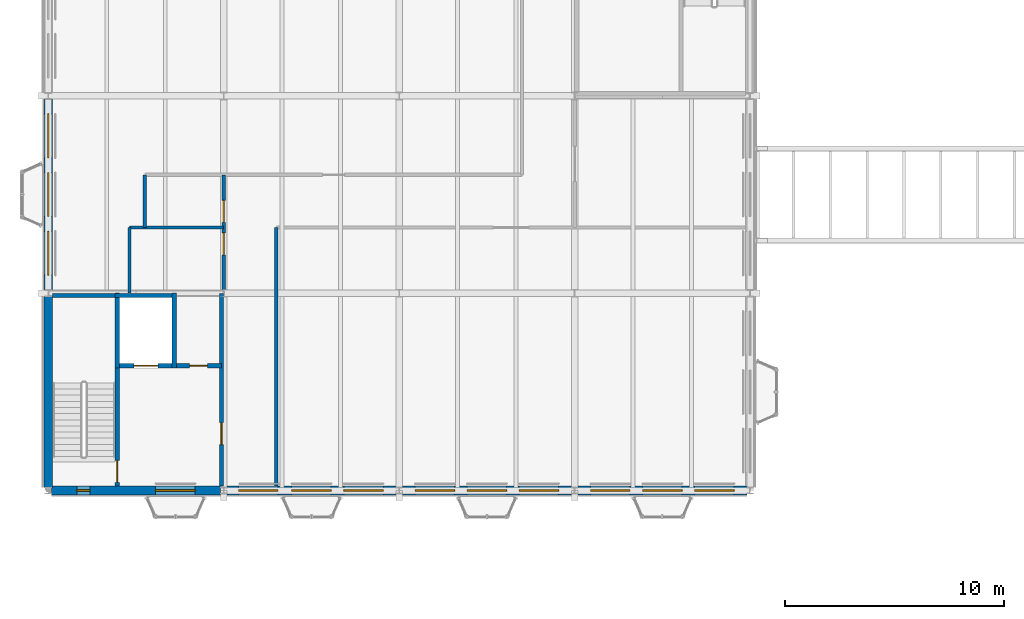
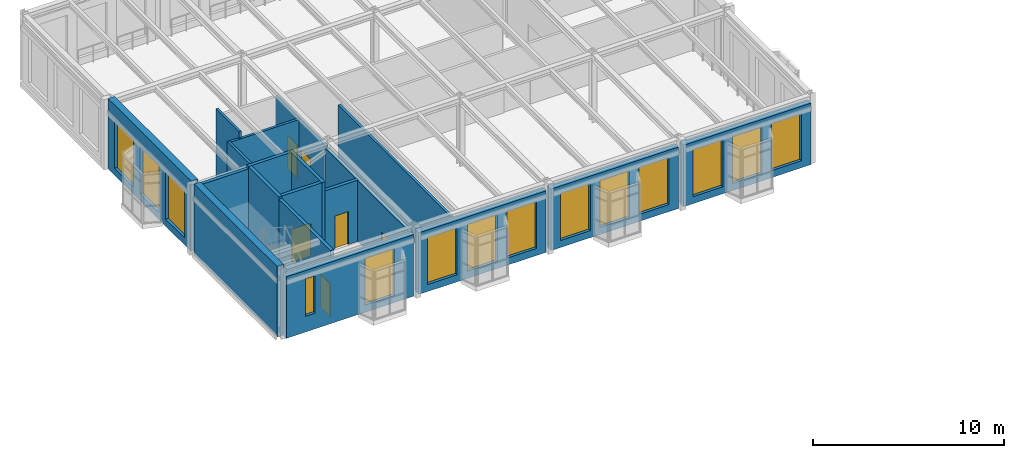
# One storey, part 99 of 153: 19 walls, 14 windows, 6 doors, 20 openings.
"""IFC4 building model written with IfcOpenShell, lengths in metres."""

from ifc_helpers import new_model, si_unit, direction, frame, frame_2d, origin, place, context, subcontext, project, spatial, rectangle, extrude, material, layer, layer_set, type_object, element, fill, save


model = new_model("IFC4")

# Units and contexts
model_context = context("Model", 3, precision=1e-05, world=origin(), true_north=direction((0.0, 1.0)))
body_context = subcontext(model_context, "Body", "Model", "MODEL_VIEW")
ifc_project = project(units=[si_unit("LENGTHUNIT", "METRE"), si_unit("AREAUNIT", "SQUARE_METRE"), si_unit("VOLUMEUNIT", "CUBIC_METRE"), si_unit("PLANEANGLEUNIT", "RADIAN"), si_unit("MASSUNIT", "GRAM", prefix="KILO")], contexts=[model_context])

# Site, building, storey
site_placement = place(None, origin())
site = spatial("IfcSite", under=ifc_project, at=site_placement, CompositionType="ELEMENT")
building_placement = place(site_placement, origin())
building = spatial("IfcBuilding", under=site, at=building_placement, Name="Kallimachos Central Library", CompositionType="ELEMENT")
storey_placement = place(building_placement, frame((0.0, 0.0, 5.39990234375)))
storey = spatial("IfcBuildingStorey", under=building, at=storey_placement, Name="L01", CompositionType="ELEMENT", Elevation=5.39990234375)

# Wall, opening, door
ifc_material_1 = material(Name="Concrete C30/37", Category="concrete")
ifc_layer_1 = layer(ifc_material_1, 0.199951171875)
ifc_layer_set_1 = layer_set([ifc_layer_1], Name="Core wall 200")
wall_type_1 = type_object("IfcWallType", Name="Core wall 200", PredefinedType="SOLIDWALL", material=ifc_layer_set_1)
wall_1_placement = place(storey_placement, frame((9.14990234375, 87.199951171875, 0.0), z_axis=(0.0, 0.0, 1.0), x_axis=(0.0, 1.0, 0.0)))
wall_1 = element("IfcWall", 1, at=wall_1_placement, inside=storey, type_object=wall_type_1, Name="Core wall sw-stair-lobby L01", PredefinedType="SOLIDWALL", context=body_context, shape_type="SweptSolid", body=[
    extrude(rectangle(XDim=5.400146484375, YDim=0.199951171875, at=frame_2d((2.7001953125, 0.0))), origin(), (0.0, 0.0, 1.0), 4.35009765625),
])
opening_1_placement = place(wall_1_placement, frame((0.175048828125, 0.0, 0.0)))
opening_1 = element("IfcOpeningElement", 2, at=opening_1_placement, cuts=wall_1, Name="Opening D298", PredefinedType="OPENING", context=body_context, shape_type="SweptSolid", body=[
    extrude(rectangle(XDim=1.0, YDim=2.10009765625, at=frame_2d((0.5, 1.050048828125))), frame((0.0, 0.10986328125, 0.0), z_axis=(0.0, -1.0, 0.0), x_axis=(1.0, 0.0, 0.0)), (0.0, 0.0, 1.0), 0.219970703125),
])
ifc_material_2 = material(Name="Steel fire door", Category="steel")
door_type_1 = type_object("IfcDoorType", Name="Fire door 1000 x 2100", OperationType="NOTDEFINED", PredefinedType="DOOR", material=ifc_material_2)
door_1_placement = place(opening_1_placement, origin())
door_1 = element("IfcDoor", 3, at=door_1_placement, inside=storey, type_object=door_type_1, Name="Stair ST5 door", OperationType="SINGLE_SWING_RIGHT", OverallHeight=2.10009765625, OverallWidth=1.0, PredefinedType="DOOR", context=body_context, shape_type="SweptSolid", body=[
    extrude(rectangle(XDim=1.0, YDim=2.10009765625, at=frame_2d((0.5, 1.050048828125))), frame((0.0, 0.02490234375, 0.0), z_axis=(0.0, -1.0, 0.0), x_axis=(1.0, 0.0, 0.0)), (0.0, 0.0, 1.0), 0.050048828125),
])
fill(opening_1, door_1)

# Wall
wall_2_placement = place(storey_placement, frame((6.199951171875, 95.89990234375, 0.0), z_axis=(0.0, 0.0, 1.0), x_axis=(1.0, 0.0, 0.0)))
element("IfcWall", 4, at=wall_2_placement, inside=storey, type_object=wall_type_1, Name="Core wall sw-stair-north L01", PredefinedType="SOLIDWALL", context=body_context, shape_type="SweptSolid", body=[
    extrude(rectangle(XDim=2.85009765625, YDim=0.199951171875, at=frame_2d((1.425048828125, 0.0))), origin(), (0.0, 0.0, 1.0), 4.35009765625),
])

# Wall, opening, door
wall_3_placement = place(storey_placement, frame((13.89990234375, 87.199951171875, 0.0), z_axis=(0.0, 0.0, 1.0), x_axis=(0.0, 1.0, 0.0)))
wall_3 = element("IfcWall", 5, at=wall_3_placement, inside=storey, type_object=wall_type_1, Name="Core wall sw-east L01", PredefinedType="SOLIDWALL", context=body_context, shape_type="SweptSolid", body=[
    extrude(rectangle(XDim=8.800048828125, YDim=0.199951171875, at=frame_2d((4.39990234375, 0.0))), origin(), (0.0, 0.0, 1.0), 3.91015625),
])
opening_2_placement = place(wall_3_placement, frame((1.89990234375, 0.0, 0.0)))
opening_2 = element("IfcOpeningElement", 6, at=opening_2_placement, cuts=wall_3, Name="Opening D299", PredefinedType="OPENING", context=body_context, shape_type="SweptSolid", body=[
    extrude(rectangle(XDim=1.0, YDim=2.10009765625, at=frame_2d((0.5, 1.050048828125))), frame((0.0, 0.10986328125, 0.0), z_axis=(0.0, -1.0, 0.0), x_axis=(1.0, 0.0, 0.0)), (0.0, 0.0, 1.0), 0.219970703125),
])
door_2_placement = place(opening_2_placement, origin())
door_2 = element("IfcDoor", 7, at=door_2_placement, inside=storey, type_object=door_type_1, Name="Stair lobby ST5 door to corridor", OperationType="SINGLE_SWING_RIGHT", OverallHeight=2.10009765625, OverallWidth=1.0, PredefinedType="DOOR", context=body_context, shape_type="SweptSolid", body=[
    extrude(rectangle(XDim=1.0, YDim=2.10009765625, at=frame_2d((0.5, 1.050048828125))), frame((0.0, 0.02490234375, 0.0), z_axis=(0.0, -1.0, 0.0), x_axis=(1.0, 0.0, 0.0)), (0.0, 0.0, 1.0), 0.050048828125),
])
fill(opening_2, door_2)

ifc_material_3 = material(Name="Concrete C30/37", Category="concrete")
ifc_layer_2 = layer(ifc_material_3, 0.199951171875)
ifc_layer_set_2 = layer_set([ifc_layer_2], Name="Core wall 200, non-load-bearing")
wall_type_2 = type_object("IfcWallType", Name="Core wall 200, non-load-bearing", PredefinedType="SOLIDWALL", material=ifc_layer_set_2)
wall_4_placement = place(storey_placement, frame((11.85009765625, 92.699951171875, 0.0), z_axis=(0.0, 0.0, 1.0), x_axis=(1.0, 0.0, 0.0)))
wall_4 = element("IfcWall", 8, at=wall_4_placement, inside=storey, type_object=wall_type_2, Name="Core wall sw-lobby-north-east L01", PredefinedType="SOLIDWALL", context=body_context, shape_type="SweptSolid", body=[
    extrude(rectangle(XDim=2.0498046875, YDim=0.199951171875, at=frame_2d((1.02490234375, 0.0))), origin(), (0.0, 0.0, 1.0), 3.91015625),
])
opening_3_placement = place(wall_4_placement, frame((0.60009765625, 0.0, 0.0)))
opening_3 = element("IfcOpeningElement", 9, at=opening_3_placement, cuts=wall_4, Name="Opening D300", PredefinedType="OPENING", context=body_context, shape_type="SweptSolid", body=[
    extrude(rectangle(XDim=0.800048828125, YDim=2.10009765625, at=frame_2d((0.39990234375, 1.050048828125))), frame((0.0, 0.10986328125, 0.0), z_axis=(0.0, -1.0, 0.0), x_axis=(1.0, 0.0, 0.0)), (0.0, 0.0, 1.0), 0.219970703125),
])
ifc_material_4 = material(Name="Steel fire door", Category="steel")
door_type_2 = type_object("IfcDoorType", Name="Riser door 800 x 2100", OperationType="NOTDEFINED", PredefinedType="DOOR", material=ifc_material_4)
door_3_placement = place(opening_3_placement, origin())
door_3 = element("IfcDoor", 10, at=door_3_placement, inside=storey, type_object=door_type_2, Name="Riser 1 door", OperationType="SINGLE_SWING_RIGHT", OverallHeight=2.10009765625, OverallWidth=0.800048828125, PredefinedType="DOOR", context=body_context, shape_type="SweptSolid", body=[
    extrude(rectangle(XDim=0.800048828125, YDim=2.10009765625, at=frame_2d((0.39990234375, 1.050048828125))), frame((0.0, 0.02490234375, 0.0), z_axis=(0.0, -1.0, 0.0), x_axis=(1.0, 0.0, 0.0)), (0.0, 0.0, 1.0), 0.050048828125),
])
fill(opening_3, door_3)

# Wall
ifc_material_5 = material(Name="Concrete C30/37", Category="concrete")
ifc_layer_3 = layer(ifc_material_5, 0.199951171875)
ifc_layer_set_3 = layer_set([ifc_layer_3], Name="Lift shaft wall 200")
wall_type_3 = type_object("IfcWallType", Name="Lift shaft wall 200", PredefinedType="SOLIDWALL", material=ifc_layer_set_3)
wall_5_placement = place(storey_placement, frame((9.050048828125, 95.89990234375, 0.0), z_axis=(0.0, 0.0, 1.0), x_axis=(1.0, 0.0, 0.0)))
element("IfcWall", 11, at=wall_5_placement, inside=storey, type_object=wall_type_3, Name="V2-WAL-L01-001", PredefinedType="SOLIDWALL", context=body_context, shape_type="SweptSolid", body=[
    extrude(rectangle(XDim=2.599853515625, YDim=0.199951171875, at=frame_2d((1.2998046875, 0.0))), origin(), (0.0, 0.0, 1.0), 4.5),
])

# Wall, opening, door
wall_6_placement = place(storey_placement, frame((9.25, 92.699951171875, 0.0), z_axis=(0.0, 0.0, 1.0), x_axis=(1.0, 0.0, 0.0)))
wall_6 = element("IfcWall", 12, at=wall_6_placement, inside=storey, type_object=wall_type_3, Name="V2-WAL-L01-002", PredefinedType="SOLIDWALL", context=body_context, shape_type="SweptSolid", body=[
    extrude(rectangle(XDim=2.39990234375, YDim=0.199951171875, at=frame_2d((1.199951171875, 0.0))), origin(), (0.0, 0.0, 1.0), 4.5),
])
opening_4_placement = place(wall_6_placement, frame((0.64990234375, 0.0, 0.0)))
opening_4 = element("IfcOpeningElement", 13, at=opening_4_placement, cuts=wall_6, Name="Opening LD1100", PredefinedType="OPENING", context=body_context, shape_type="SweptSolid", body=[
    extrude(rectangle(XDim=1.10009765625, YDim=2.10009765625, at=frame_2d((0.550048828125, 1.050048828125))), frame((0.0, 0.10986328125, 0.0), z_axis=(0.0, -1.0, 0.0), x_axis=(1.0, 0.0, 0.0)), (0.0, 0.0, 1.0), 0.219970703125),
])
ifc_material_6 = material(Name="Stainless steel", Category="steel")
door_type_3 = type_object("IfcDoorType", Name="Lift landing door 1100 x 2100", OperationType="SLIDING_TO_LEFT", PredefinedType="DOOR", material=ifc_material_6)
door_4_placement = place(opening_4_placement, origin())
door_4 = element("IfcDoor", 14, at=door_4_placement, inside=storey, type_object=door_type_3, Name="LF5 landing door L01", OperationType="SLIDING_TO_LEFT", OverallHeight=2.10009765625, OverallWidth=1.10009765625, PredefinedType="DOOR", context=body_context, shape_type="SweptSolid", body=[
    extrude(rectangle(XDim=1.10009765625, YDim=2.10009765625, at=frame_2d((0.550048828125, 1.050048828125))), frame((0.0, 0.02490234375, 0.0), z_axis=(0.0, -1.0, 0.0), x_axis=(1.0, 0.0, 0.0)), (0.0, 0.0, 1.0), 0.050048828125),
])
fill(opening_4, door_4)

# Walls
for number, where, z_axis, x_axis, name in (
    (15, (9.14990234375, 92.60009765625, 0.0), (0.0, 0.0, 1.0), (0.0, 1.0, 0.0), "V2-WAL-L01-003"),
    (16, (11.75, 92.60009765625, 0.0), (0.0, 0.0, 1.0), (0.0, 1.0, 0.0), "V2-WAL-L01-004"),
):
    element("IfcWall", number, at=place(storey_placement, frame(where, z_axis=z_axis, x_axis=x_axis)), inside=storey, type_object=wall_type_3, Name=name, PredefinedType="SOLIDWALL", context=body_context, shape_type="SweptSolid", body=[
        extrude(rectangle(XDim=3.39990234375, YDim=0.199951171875, at=frame_2d((1.699951171875, 0.0))), origin(), (0.0, 0.0, 1.0), 4.5),
    ])
ifc_material_7 = material(Name="Gypsum board on steel studs", Category="steel")
ifc_layer_4 = layer(ifc_material_7, 0.14990234375)
ifc_layer_set_4 = layer_set([ifc_layer_4], Name="Partition wall 150")
wall_type_4 = type_object("IfcWallType", Name="Partition wall 150", PredefinedType="PARTITIONING", material=ifc_layer_set_4)
wall_7_placement = place(storey_placement, frame((9.699951171875, 96.0, 0.0), z_axis=(0.0, 0.0, 1.0), x_axis=(0.0, 1.0, 0.0)))
element("IfcWall", 17, at=wall_7_placement, inside=storey, type_object=wall_type_4, Name="Partition L01", PredefinedType="PARTITIONING", context=body_context, shape_type="SweptSolid", body=[
    extrude(rectangle(XDim=3.0, YDim=0.14990234375, at=frame_2d((1.5, 0.0))), origin(), (0.0, 0.0, 1.0), 3.960205078125),
])
wall_8_placement = place(storey_placement, frame((9.699951171875, 99.0, 0.0), z_axis=(0.0, 0.0, 1.0), x_axis=(1.0, 0.0, 0.0)))
element("IfcWall", 18, at=wall_8_placement, inside=storey, type_object=wall_type_4, Name="Partition L01", PredefinedType="PARTITIONING", context=body_context, shape_type="SweptSolid", body=[
    extrude(rectangle(XDim=4.300048828125, YDim=0.14990234375, at=frame_2d((2.14990234375, 0.0))), origin(), (0.0, 0.0, 1.0), 3.91015625),
])
wall_9_placement = place(storey_placement, frame((10.39990234375, 99.0, 0.0), z_axis=(0.0, 0.0, 1.0), x_axis=(0.0, 1.0, 0.0)))
element("IfcWall", 19, at=wall_9_placement, inside=storey, type_object=wall_type_4, Name="Partition L01", PredefinedType="PARTITIONING", context=body_context, shape_type="SweptSolid", body=[
    extrude(rectangle(XDim=2.39990234375, YDim=0.14990234375, at=frame_2d((1.199951171875, 0.0))), origin(), (0.0, 0.0, 1.0), 4.35009765625),
])

# Wall, openings, doors
wall_10_placement = place(storey_placement, frame((14.0, 96.14990234375, 0.0), z_axis=(0.0, 0.0, 1.0), x_axis=(0.0, 1.0, 0.0)))
wall_10 = element("IfcWall", 20, at=wall_10_placement, inside=storey, type_object=wall_type_4, Name="Partition L01", PredefinedType="PARTITIONING", context=body_context, shape_type="SweptSolid", body=[
    extrude(rectangle(XDim=5.25, YDim=0.14990234375, at=frame_2d((2.625, 0.0))), origin(), (0.0, 0.0, 1.0), 3.91015625),
])
opening_5_placement = place(wall_10_placement, frame((1.60009765625, 0.0, 0.0)))
opening_5 = element("IfcOpeningElement", 21, at=opening_5_placement, cuts=wall_10, Name="Opening D306", PredefinedType="OPENING", context=body_context, shape_type="SweptSolid", body=[
    extrude(rectangle(XDim=1.0, YDim=2.10009765625, at=frame_2d((0.5, 1.050048828125))), frame((0.0, 0.0849609375, 0.0), z_axis=(0.0, -1.0, 0.0), x_axis=(1.0, 0.0, 0.0)), (0.0, 0.0, 1.0), 0.169921875),
])
opening_6_placement = place(wall_10_placement, frame((3.080078125, 0.0, 0.0)))
opening_6 = element("IfcOpeningElement", 22, at=opening_6_placement, cuts=wall_10, Name="Opening D307", PredefinedType="OPENING", context=body_context, shape_type="SweptSolid", body=[
    extrude(rectangle(XDim=1.0, YDim=2.10009765625, at=frame_2d((0.5, 1.050048828125))), frame((0.0, 0.0849609375, 0.0), z_axis=(0.0, -1.0, 0.0), x_axis=(1.0, 0.0, 0.0)), (0.0, 0.0, 1.0), 0.169921875),
])
ifc_material_8 = material(Name="Timber", Category="wood")
door_type_4 = type_object("IfcDoorType", Name="Single leaf door 1000 x 2100, EI2 30", OperationType="NOTDEFINED", PredefinedType="DOOR", material=ifc_material_8)
door_5_placement = place(opening_5_placement, origin())
door_5 = element("IfcDoor", 23, at=door_5_placement, inside=storey, type_object=door_type_4, Name="Door to Parents' WC 2", OperationType="SINGLE_SWING_LEFT", OverallHeight=2.10009765625, OverallWidth=1.0, PredefinedType="DOOR", context=body_context, shape_type="SweptSolid", body=[
    extrude(rectangle(XDim=1.0, YDim=2.10009765625, at=frame_2d((0.5, 1.050048828125))), frame((0.0, 0.02490234375, 0.0), z_axis=(0.0, -1.0, 0.0), x_axis=(1.0, 0.0, 0.0)), (0.0, 0.0, 1.0), 0.050048828125),
])
fill(opening_5, door_5)
door_6_placement = place(opening_6_placement, origin())
door_6 = element("IfcDoor", 24, at=door_6_placement, inside=storey, type_object=door_type_4, Name="Door to Accessible WC 2", OperationType="SINGLE_SWING_RIGHT", OverallHeight=2.10009765625, OverallWidth=1.0, PredefinedType="DOOR", context=body_context, shape_type="SweptSolid", body=[
    extrude(rectangle(XDim=1.0, YDim=2.10009765625, at=frame_2d((0.5, 1.050048828125))), frame((0.0, 0.02490234375, 0.0), z_axis=(0.0, -1.0, 0.0), x_axis=(1.0, 0.0, 0.0)), (0.0, 0.0, 1.0), 0.050048828125),
])
fill(opening_6, door_6)

# Wall
wall_11_placement = place(storey_placement, frame((16.39990234375, 87.199951171875, 0.0), z_axis=(0.0, 0.0, 1.0), x_axis=(0.0, 1.0, 0.0)))
element("IfcWall", 25, at=wall_11_placement, inside=storey, type_object=wall_type_4, Name="Partition L01", PredefinedType="PARTITIONING", context=body_context, shape_type="SweptSolid", body=[
    extrude(rectangle(XDim=11.800048828125, YDim=0.14990234375, at=frame_2d((5.89990234375, 0.0))), origin(), (0.0, 0.0, 1.0), 3.960205078125),
])

# Wall, openings, windows
ifc_material_9 = material(Name="Pentelic marble cladding on insulated brick masonry", Category="masonry")
ifc_layer_5 = layer(ifc_material_9, 0.39990234375)
ifc_layer_set_5 = layer_set([ifc_layer_5], Name="Stone cladding wall 400")
wall_type_5 = type_object("IfcWallType", Name="Stone cladding wall 400", PredefinedType="SOLIDWALL", material=ifc_layer_set_5)
wall_12_placement = place(storey_placement, frame((6.14990234375, 87.0, 0.0), z_axis=(0.0, 0.0, 1.0), x_axis=(1.0, 0.0, 0.0)))
wall_12 = element("IfcWall", 26, at=wall_12_placement, inside=storey, type_object=wall_type_5, Name="Stone wall S1 L01", PredefinedType="SOLIDWALL", context=body_context, shape_type="SweptSolid", body=[
    extrude(rectangle(XDim=7.7001953125, YDim=0.39990234375, at=frame_2d((3.85009765625, 0.0))), origin(), (0.0, 0.0, 1.0), 3.93017578125),
])
opening_7_placement = place(wall_12_placement, frame((1.14990234375, 0.0, 1.0)))
opening_7 = element("IfcOpeningElement", 27, at=opening_7_placement, cuts=wall_12, Name="Opening WN164", PredefinedType="OPENING", context=body_context, shape_type="SweptSolid", body=[
    extrude(rectangle(XDim=0.60009765625, YDim=2.39990234375, at=frame_2d((0.300048828125, 1.199951171875))), frame((0.0, 0.2099609375, 0.0), z_axis=(0.0, -1.0, 0.0), x_axis=(1.0, 0.0, 0.0)), (0.0, 0.0, 1.0), 0.419921875),
])
opening_8_placement = place(wall_12_placement, frame((4.75, 0.0, 0.449951171875)))
opening_8 = element("IfcOpeningElement", 28, at=opening_8_placement, cuts=wall_12, Name="Opening WN165", PredefinedType="OPENING", context=body_context, shape_type="SweptSolid", body=[
    extrude(rectangle(XDim=1.800048828125, YDim=3.0, at=frame_2d((0.89990234375, 1.5))), frame((0.0, 0.2099609375, 0.0), z_axis=(0.0, -1.0, 0.0), x_axis=(1.0, 0.0, 0.0)), (0.0, 0.0, 1.0), 0.419921875),
])
ifc_material_10 = material(Name="Laminated safety glass in painted steel frame", Category="steel")
window_type_1 = type_object("IfcWindowType", Name="Stair window 600 x 2400", PartitioningType="SINGLE_PANEL", PredefinedType="WINDOW", material=ifc_material_10)
window_1_placement = place(opening_7_placement, origin())
window_1 = element("IfcWindow", 29, at=window_1_placement, inside=storey, type_object=window_type_1, Name="V2-WIN-L01-001", OverallHeight=2.39990234375, OverallWidth=0.60009765625, PartitioningType="SINGLE_PANEL", PredefinedType="WINDOW", context=body_context, shape_type="SweptSolid", body=[
    extrude(rectangle(XDim=0.60009765625, YDim=2.39990234375, at=frame_2d((0.300048828125, 1.199951171875))), frame((0.0, 0.030029296875, 0.0), z_axis=(0.0, -1.0, 0.0), x_axis=(1.0, 0.0, 0.0)), (0.0, 0.0, 1.0), 0.06005859375),
])
fill(opening_7, window_1)
ifc_material_11 = material(Name="Laminated safety glass in painted steel frame", Category="steel")
window_type_2 = type_object("IfcWindowType", Name="Window 1800 x 3000", PartitioningType="SINGLE_PANEL", PredefinedType="WINDOW", material=ifc_material_11)
window_2_placement = place(opening_8_placement, origin())
window_2 = element("IfcWindow", 30, at=window_2_placement, inside=storey, type_object=window_type_2, Name="V2-WIN-L01-002", OverallHeight=3.0, OverallWidth=1.800048828125, PartitioningType="SINGLE_PANEL", PredefinedType="WINDOW", context=body_context, shape_type="SweptSolid", body=[
    extrude(rectangle(XDim=1.800048828125, YDim=3.0, at=frame_2d((0.89990234375, 1.5))), frame((0.0, 0.030029296875, 0.0), z_axis=(0.0, -1.0, 0.0), x_axis=(1.0, 0.0, 0.0)), (0.0, 0.0, 1.0), 0.06005859375),
])
fill(opening_8, window_2)

# Wall
ifc_material_12 = material(Name="Pentelic marble cladding on insulated brick masonry", Category="masonry")
ifc_layer_6 = layer(ifc_material_12, 0.39990234375)
ifc_layer_set_6 = layer_set([ifc_layer_6], Name="Stone cladding wall 400, load-bearing")
wall_type_6 = type_object("IfcWallType", Name="Stone cladding wall 400, load-bearing", PredefinedType="SOLIDWALL", material=ifc_layer_set_6)
wall_13_placement = place(storey_placement, frame((6.0, 87.14990234375, 0.0), z_axis=(0.0, 0.0, 1.0), x_axis=(0.0, 1.0, 0.0)))
element("IfcWall", 31, at=wall_13_placement, inside=storey, type_object=wall_type_6, Name="Stone wall W1 L01", PredefinedType="SOLIDWALL", context=body_context, shape_type="SweptSolid", body=[
    extrude(rectangle(XDim=8.7001953125, YDim=0.39990234375, at=frame_2d((4.35009765625, 0.0))), origin(), (0.0, 0.0, 1.0), 4.5),
])

# Wall, openings, windows
ifc_material_13 = material(Name="Pentelic marble cladding on insulated brick masonry", Category="masonry")
ifc_layer_7 = layer(ifc_material_13, 0.39990234375)
ifc_layer_set_7 = layer_set([ifc_layer_7], Name="Stone cladding wall 400, unrated")
wall_type_7 = type_object("IfcWallType", Name="Stone cladding wall 400, unrated", PredefinedType="SOLIDWALL", material=ifc_layer_set_7)
wall_14_placement = place(storey_placement, frame((14.14990234375, 87.0, 0.0), z_axis=(0.0, 0.0, 1.0), x_axis=(1.0, 0.0, 0.0)))
wall_14 = element("IfcWall", 32, at=wall_14_placement, inside=storey, type_object=wall_type_7, Name="Stone wall S2 L01", PredefinedType="SOLIDWALL", context=body_context, shape_type="SweptSolid", body=[
    extrude(rectangle(XDim=7.7001953125, YDim=0.39990234375, at=frame_2d((3.85009765625, 0.0))), origin(), (0.0, 0.0, 1.0), 3.93017578125),
])
opening_9_placement = place(wall_14_placement, frame((0.52490234375, 0.0, 0.449951171875)))
opening_9 = element("IfcOpeningElement", 33, at=opening_9_placement, cuts=wall_14, Name="Opening WN171", PredefinedType="OPENING", context=body_context, shape_type="SweptSolid", body=[
    extrude(rectangle(XDim=1.800048828125, YDim=3.0, at=frame_2d((0.89990234375, 1.5))), frame((0.0, 0.2099609375, 0.0), z_axis=(0.0, -1.0, 0.0), x_axis=(1.0, 0.0, 0.0)), (0.0, 0.0, 1.0), 0.419921875),
])
opening_10_placement = place(wall_14_placement, frame((2.949951171875, 0.0, 0.449951171875)))
opening_10 = element("IfcOpeningElement", 34, at=opening_10_placement, cuts=wall_14, Name="Opening WN172", PredefinedType="OPENING", context=body_context, shape_type="SweptSolid", body=[
    extrude(rectangle(XDim=1.800048828125, YDim=3.0, at=frame_2d((0.89990234375, 1.5))), frame((0.0, 0.2099609375, 0.0), z_axis=(0.0, -1.0, 0.0), x_axis=(1.0, 0.0, 0.0)), (0.0, 0.0, 1.0), 0.419921875),
])
opening_11_placement = place(wall_14_placement, frame((5.324951171875, 0.0, 0.449951171875)))
opening_11 = element("IfcOpeningElement", 35, at=opening_11_placement, cuts=wall_14, Name="Opening WN173", PredefinedType="OPENING", context=body_context, shape_type="SweptSolid", body=[
    extrude(rectangle(XDim=1.800048828125, YDim=3.0, at=frame_2d((0.89990234375, 1.5))), frame((0.0, 0.2099609375, 0.0), z_axis=(0.0, -1.0, 0.0), x_axis=(1.0, 0.0, 0.0)), (0.0, 0.0, 1.0), 0.419921875),
])
window_3_placement = place(opening_9_placement, origin())
window_3 = element("IfcWindow", 36, at=window_3_placement, inside=storey, type_object=window_type_2, Name="V2-WIN-L01-003", OverallHeight=3.0, OverallWidth=1.800048828125, PartitioningType="SINGLE_PANEL", PredefinedType="WINDOW", context=body_context, shape_type="SweptSolid", body=[
    extrude(rectangle(XDim=1.800048828125, YDim=3.0, at=frame_2d((0.89990234375, 1.5))), frame((0.0, 0.030029296875, 0.0), z_axis=(0.0, -1.0, 0.0), x_axis=(1.0, 0.0, 0.0)), (0.0, 0.0, 1.0), 0.06005859375),
])
fill(opening_9, window_3)
window_4_placement = place(opening_10_placement, origin())
window_4 = element("IfcWindow", 37, at=window_4_placement, inside=storey, type_object=window_type_2, Name="V2-WIN-L01-004", OverallHeight=3.0, OverallWidth=1.800048828125, PartitioningType="SINGLE_PANEL", PredefinedType="WINDOW", context=body_context, shape_type="SweptSolid", body=[
    extrude(rectangle(XDim=1.800048828125, YDim=3.0, at=frame_2d((0.89990234375, 1.5))), frame((0.0, 0.030029296875, 0.0), z_axis=(0.0, -1.0, 0.0), x_axis=(1.0, 0.0, 0.0)), (0.0, 0.0, 1.0), 0.06005859375),
])
fill(opening_10, window_4)
window_5_placement = place(opening_11_placement, origin())
window_5 = element("IfcWindow", 38, at=window_5_placement, inside=storey, type_object=window_type_2, Name="V2-WIN-L01-005", OverallHeight=3.0, OverallWidth=1.800048828125, PartitioningType="SINGLE_PANEL", PredefinedType="WINDOW", context=body_context, shape_type="SweptSolid", body=[
    extrude(rectangle(XDim=1.800048828125, YDim=3.0, at=frame_2d((0.89990234375, 1.5))), frame((0.0, 0.030029296875, 0.0), z_axis=(0.0, -1.0, 0.0), x_axis=(1.0, 0.0, 0.0)), (0.0, 0.0, 1.0), 0.06005859375),
])
fill(opening_11, window_5)

wall_15_placement = place(storey_placement, frame((22.14990234375, 87.0, 0.0), z_axis=(0.0, 0.0, 1.0), x_axis=(1.0, 0.0, 0.0)))
wall_15 = element("IfcWall", 39, at=wall_15_placement, inside=storey, type_object=wall_type_7, Name="Stone wall S3 L01", PredefinedType="SOLIDWALL", context=body_context, shape_type="SweptSolid", body=[
    extrude(rectangle(XDim=7.7001953125, YDim=0.39990234375, at=frame_2d((3.85009765625, 0.0))), origin(), (0.0, 0.0, 1.0), 3.93017578125),
])
opening_12_placement = place(wall_15_placement, frame((0.574951171875, 0.0, 0.449951171875)))
opening_12 = element("IfcOpeningElement", 40, at=opening_12_placement, cuts=wall_15, Name="Opening WN180", PredefinedType="OPENING", context=body_context, shape_type="SweptSolid", body=[
    extrude(rectangle(XDim=1.800048828125, YDim=3.0, at=frame_2d((0.89990234375, 1.5))), frame((0.0, 0.2099609375, 0.0), z_axis=(0.0, -1.0, 0.0), x_axis=(1.0, 0.0, 0.0)), (0.0, 0.0, 1.0), 0.419921875),
])
opening_13_placement = place(wall_15_placement, frame((2.949951171875, 0.0, 0.449951171875)))
opening_13 = element("IfcOpeningElement", 41, at=opening_13_placement, cuts=wall_15, Name="Opening WN181", PredefinedType="OPENING", context=body_context, shape_type="SweptSolid", body=[
    extrude(rectangle(XDim=1.800048828125, YDim=3.0, at=frame_2d((0.89990234375, 1.5))), frame((0.0, 0.2099609375, 0.0), z_axis=(0.0, -1.0, 0.0), x_axis=(1.0, 0.0, 0.0)), (0.0, 0.0, 1.0), 0.419921875),
])
opening_14_placement = place(wall_15_placement, frame((5.324951171875, 0.0, 0.449951171875)))
opening_14 = element("IfcOpeningElement", 42, at=opening_14_placement, cuts=wall_15, Name="Opening WN182", PredefinedType="OPENING", context=body_context, shape_type="SweptSolid", body=[
    extrude(rectangle(XDim=1.800048828125, YDim=3.0, at=frame_2d((0.89990234375, 1.5))), frame((0.0, 0.2099609375, 0.0), z_axis=(0.0, -1.0, 0.0), x_axis=(1.0, 0.0, 0.0)), (0.0, 0.0, 1.0), 0.419921875),
])
window_6_placement = place(opening_12_placement, origin())
window_6 = element("IfcWindow", 43, at=window_6_placement, inside=storey, type_object=window_type_2, Name="V2-WIN-L01-006", OverallHeight=3.0, OverallWidth=1.800048828125, PartitioningType="SINGLE_PANEL", PredefinedType="WINDOW", context=body_context, shape_type="SweptSolid", body=[
    extrude(rectangle(XDim=1.800048828125, YDim=3.0, at=frame_2d((0.89990234375, 1.5))), frame((0.0, 0.030029296875, 0.0), z_axis=(0.0, -1.0, 0.0), x_axis=(1.0, 0.0, 0.0)), (0.0, 0.0, 1.0), 0.06005859375),
])
fill(opening_12, window_6)
window_7_placement = place(opening_13_placement, origin())
window_7 = element("IfcWindow", 44, at=window_7_placement, inside=storey, type_object=window_type_2, Name="V2-WIN-L01-007", OverallHeight=3.0, OverallWidth=1.800048828125, PartitioningType="SINGLE_PANEL", PredefinedType="WINDOW", context=body_context, shape_type="SweptSolid", body=[
    extrude(rectangle(XDim=1.800048828125, YDim=3.0, at=frame_2d((0.89990234375, 1.5))), frame((0.0, 0.030029296875, 0.0), z_axis=(0.0, -1.0, 0.0), x_axis=(1.0, 0.0, 0.0)), (0.0, 0.0, 1.0), 0.06005859375),
])
fill(opening_13, window_7)
window_8_placement = place(opening_14_placement, origin())
window_8 = element("IfcWindow", 45, at=window_8_placement, inside=storey, type_object=window_type_2, Name="V2-WIN-L01-008", OverallHeight=3.0, OverallWidth=1.800048828125, PartitioningType="SINGLE_PANEL", PredefinedType="WINDOW", context=body_context, shape_type="SweptSolid", body=[
    extrude(rectangle(XDim=1.800048828125, YDim=3.0, at=frame_2d((0.89990234375, 1.5))), frame((0.0, 0.030029296875, 0.0), z_axis=(0.0, -1.0, 0.0), x_axis=(1.0, 0.0, 0.0)), (0.0, 0.0, 1.0), 0.06005859375),
])
fill(opening_14, window_8)

wall_16_placement = place(storey_placement, frame((30.14990234375, 87.0, 0.0), z_axis=(0.0, 0.0, 1.0), x_axis=(1.0, 0.0, 0.0)))
wall_16 = element("IfcWall", 46, at=wall_16_placement, inside=storey, type_object=wall_type_7, Name="Stone wall S4 L01", PredefinedType="SOLIDWALL", context=body_context, shape_type="SweptSolid", body=[
    extrude(rectangle(XDim=7.7001953125, YDim=0.39990234375, at=frame_2d((3.85009765625, 0.0))), origin(), (0.0, 0.0, 1.0), 3.93017578125),
])
opening_15_placement = place(wall_16_placement, frame((0.574951171875, 0.0, 0.449951171875)))
opening_15 = element("IfcOpeningElement", 47, at=opening_15_placement, cuts=wall_16, Name="Opening WN189", PredefinedType="OPENING", context=body_context, shape_type="SweptSolid", body=[
    extrude(rectangle(XDim=1.800048828125, YDim=3.0, at=frame_2d((0.89990234375, 1.5))), frame((0.0, 0.2099609375, 0.0), z_axis=(0.0, -1.0, 0.0), x_axis=(1.0, 0.0, 0.0)), (0.0, 0.0, 1.0), 0.419921875),
])
opening_16_placement = place(wall_16_placement, frame((2.949951171875, 0.0, 0.449951171875)))
opening_16 = element("IfcOpeningElement", 48, at=opening_16_placement, cuts=wall_16, Name="Opening WN190", PredefinedType="OPENING", context=body_context, shape_type="SweptSolid", body=[
    extrude(rectangle(XDim=1.800048828125, YDim=3.0, at=frame_2d((0.89990234375, 1.5))), frame((0.0, 0.2099609375, 0.0), z_axis=(0.0, -1.0, 0.0), x_axis=(1.0, 0.0, 0.0)), (0.0, 0.0, 1.0), 0.419921875),
])
opening_17_placement = place(wall_16_placement, frame((5.324951171875, 0.0, 0.449951171875)))
opening_17 = element("IfcOpeningElement", 49, at=opening_17_placement, cuts=wall_16, Name="Opening WN191", PredefinedType="OPENING", context=body_context, shape_type="SweptSolid", body=[
    extrude(rectangle(XDim=1.800048828125, YDim=3.0, at=frame_2d((0.89990234375, 1.5))), frame((0.0, 0.2099609375, 0.0), z_axis=(0.0, -1.0, 0.0), x_axis=(1.0, 0.0, 0.0)), (0.0, 0.0, 1.0), 0.419921875),
])
window_9_placement = place(opening_15_placement, origin())
window_9 = element("IfcWindow", 50, at=window_9_placement, inside=storey, type_object=window_type_2, Name="V2-WIN-L01-009", OverallHeight=3.0, OverallWidth=1.800048828125, PartitioningType="SINGLE_PANEL", PredefinedType="WINDOW", context=body_context, shape_type="SweptSolid", body=[
    extrude(rectangle(XDim=1.800048828125, YDim=3.0, at=frame_2d((0.89990234375, 1.5))), frame((0.0, 0.030029296875, 0.0), z_axis=(0.0, -1.0, 0.0), x_axis=(1.0, 0.0, 0.0)), (0.0, 0.0, 1.0), 0.06005859375),
])
fill(opening_15, window_9)
window_10_placement = place(opening_16_placement, origin())
window_10 = element("IfcWindow", 51, at=window_10_placement, inside=storey, type_object=window_type_2, Name="V2-WIN-L01-010", OverallHeight=3.0, OverallWidth=1.800048828125, PartitioningType="SINGLE_PANEL", PredefinedType="WINDOW", context=body_context, shape_type="SweptSolid", body=[
    extrude(rectangle(XDim=1.800048828125, YDim=3.0, at=frame_2d((0.89990234375, 1.5))), frame((0.0, 0.030029296875, 0.0), z_axis=(0.0, -1.0, 0.0), x_axis=(1.0, 0.0, 0.0)), (0.0, 0.0, 1.0), 0.06005859375),
])
fill(opening_16, window_10)
window_11_placement = place(opening_17_placement, origin())
window_11 = element("IfcWindow", 52, at=window_11_placement, inside=storey, type_object=window_type_2, Name="V2-WIN-L01-011", OverallHeight=3.0, OverallWidth=1.800048828125, PartitioningType="SINGLE_PANEL", PredefinedType="WINDOW", context=body_context, shape_type="SweptSolid", body=[
    extrude(rectangle(XDim=1.800048828125, YDim=3.0, at=frame_2d((0.89990234375, 1.5))), frame((0.0, 0.030029296875, 0.0), z_axis=(0.0, -1.0, 0.0), x_axis=(1.0, 0.0, 0.0)), (0.0, 0.0, 1.0), 0.06005859375),
])
fill(opening_17, window_11)

ifc_material_14 = material(Name="Pentelic marble cladding on insulated brick masonry", Category="masonry")
ifc_layer_8 = layer(ifc_material_14, 0.39990234375)
ifc_layer_set_8 = layer_set([ifc_layer_8], Name="Stone cladding wall 400, unrated, load-bearing")
wall_type_8 = type_object("IfcWallType", Name="Stone cladding wall 400, unrated, load-bearing", PredefinedType="SOLIDWALL", material=ifc_layer_set_8)
wall_17_placement = place(storey_placement, frame((6.0, 96.14990234375, 0.0), z_axis=(0.0, 0.0, 1.0), x_axis=(0.0, 1.0, 0.0)))
wall_17 = element("IfcWall", 53, at=wall_17_placement, inside=storey, type_object=wall_type_8, Name="Stone wall W2 L01", PredefinedType="SOLIDWALL", context=body_context, shape_type="SweptSolid", body=[
    extrude(rectangle(XDim=8.7001953125, YDim=0.39990234375, at=frame_2d((4.35009765625, 0.0))), origin(), (0.0, 0.0, 1.0), 4.5),
])
opening_18_placement = place(wall_17_placement, frame((0.675048828125, 0.0, 0.449951171875)))
opening_18 = element("IfcOpeningElement", 54, at=opening_18_placement, cuts=wall_17, Name="Opening WN228", PredefinedType="OPENING", context=body_context, shape_type="SweptSolid", body=[
    extrude(rectangle(XDim=2.0, YDim=3.0, at=frame_2d((1.0, 1.5))), frame((0.0, 0.2099609375, 0.0), z_axis=(0.0, -1.0, 0.0), x_axis=(1.0, 0.0, 0.0)), (0.0, 0.0, 1.0), 0.419921875),
])
opening_19_placement = place(wall_17_placement, frame((3.35009765625, 0.0, 0.449951171875)))
opening_19 = element("IfcOpeningElement", 55, at=opening_19_placement, cuts=wall_17, Name="Opening WN229", PredefinedType="OPENING", context=body_context, shape_type="SweptSolid", body=[
    extrude(rectangle(XDim=2.0, YDim=3.0, at=frame_2d((1.0, 1.5))), frame((0.0, 0.2099609375, 0.0), z_axis=(0.0, -1.0, 0.0), x_axis=(1.0, 0.0, 0.0)), (0.0, 0.0, 1.0), 0.419921875),
])
opening_20_placement = place(wall_17_placement, frame((6.02490234375, 0.0, 0.449951171875)))
opening_20 = element("IfcOpeningElement", 56, at=opening_20_placement, cuts=wall_17, Name="Opening WN230", PredefinedType="OPENING", context=body_context, shape_type="SweptSolid", body=[
    extrude(rectangle(XDim=2.0, YDim=3.0, at=frame_2d((1.0, 1.5))), frame((0.0, 0.2099609375, 0.0), z_axis=(0.0, -1.0, 0.0), x_axis=(1.0, 0.0, 0.0)), (0.0, 0.0, 1.0), 0.419921875),
])
ifc_material_15 = material(Name="Laminated safety glass in painted steel frame", Category="steel")
window_type_3 = type_object("IfcWindowType", Name="Window 2000 x 3000", PartitioningType="SINGLE_PANEL", PredefinedType="WINDOW", material=ifc_material_15)
window_12_placement = place(opening_18_placement, origin())
window_12 = element("IfcWindow", 57, at=window_12_placement, inside=storey, type_object=window_type_3, Name="V2-WIN-L01-023", OverallHeight=3.0, OverallWidth=2.0, PartitioningType="SINGLE_PANEL", PredefinedType="WINDOW", context=body_context, shape_type="SweptSolid", body=[
    extrude(rectangle(XDim=2.0, YDim=3.0, at=frame_2d((1.0, 1.5))), frame((0.0, 0.030029296875, 0.0), z_axis=(0.0, -1.0, 0.0), x_axis=(1.0, 0.0, 0.0)), (0.0, 0.0, 1.0), 0.06005859375),
])
fill(opening_18, window_12)
window_13_placement = place(opening_19_placement, origin())
window_13 = element("IfcWindow", 58, at=window_13_placement, inside=storey, type_object=window_type_3, Name="V2-WIN-L01-024", OverallHeight=3.0, OverallWidth=2.0, PartitioningType="SINGLE_PANEL", PredefinedType="WINDOW", context=body_context, shape_type="SweptSolid", body=[
    extrude(rectangle(XDim=2.0, YDim=3.0, at=frame_2d((1.0, 1.5))), frame((0.0, 0.030029296875, 0.0), z_axis=(0.0, -1.0, 0.0), x_axis=(1.0, 0.0, 0.0)), (0.0, 0.0, 1.0), 0.06005859375),
])
fill(opening_19, window_13)
window_14_placement = place(opening_20_placement, origin())
window_14 = element("IfcWindow", 59, at=window_14_placement, inside=storey, type_object=window_type_3, Name="V2-WIN-L01-025", OverallHeight=3.0, OverallWidth=2.0, PartitioningType="SINGLE_PANEL", PredefinedType="WINDOW", context=body_context, shape_type="SweptSolid", body=[
    extrude(rectangle(XDim=2.0, YDim=3.0, at=frame_2d((1.0, 1.5))), frame((0.0, 0.030029296875, 0.0), z_axis=(0.0, -1.0, 0.0), x_axis=(1.0, 0.0, 0.0)), (0.0, 0.0, 1.0), 0.06005859375),
])
fill(opening_20, window_14)

save(model, "model.ifc")
